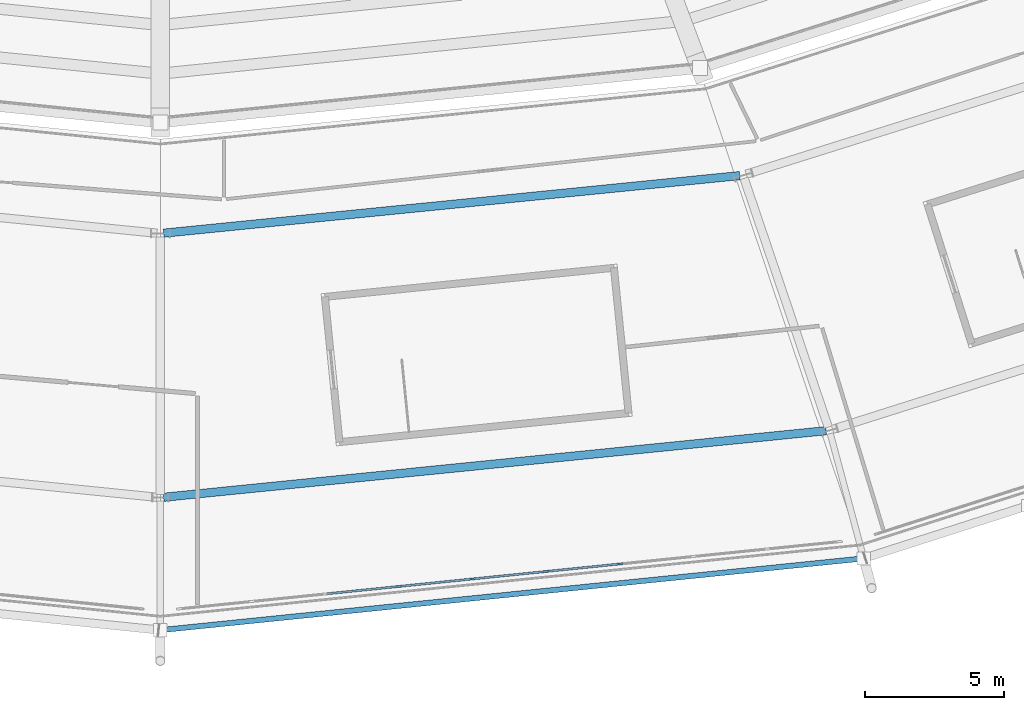
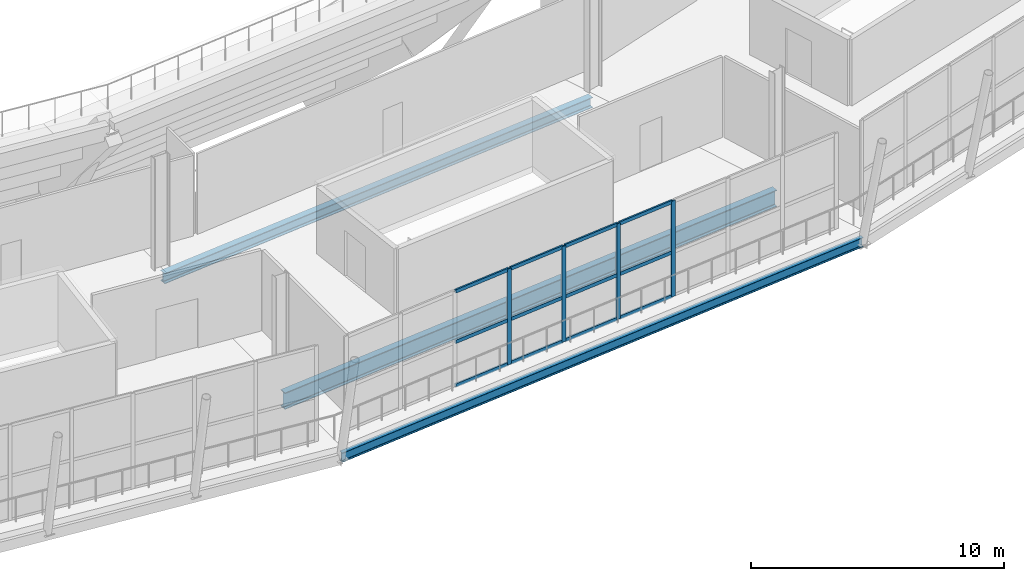
# One storey, part 23 of 126: 16 members, 3 beams, 1 element without a shape of its own.
"""IFC4 building model written with IfcOpenShell, lengths in metres."""

from ifc_helpers import new_model, si_unit, direction, frame, origin, origin_2d, place, context, subcontext, project, spatial, rectangle, i_section, extrude, material, material_profile, profile_set, type_object, element, aggregate, save


model = new_model("IFC4")

# Units and contexts
model_context = context("Model", 3, precision=1e-05, world=origin(), true_north=direction((0.0, 1.0)))
body_context = subcontext(model_context, "Body", "Model", "MODEL_VIEW")
ifc_project = project(units=[si_unit("LENGTHUNIT", "METRE"), si_unit("AREAUNIT", "SQUARE_METRE"), si_unit("VOLUMEUNIT", "CUBIC_METRE"), si_unit("PLANEANGLEUNIT", "RADIAN"), si_unit("MASSUNIT", "GRAM", prefix="KILO")], contexts=[model_context])

# Site, building, storey
site_placement = place(None, origin())
site = spatial("IfcSite", under=ifc_project, at=site_placement, CompositionType="ELEMENT")
building_placement = place(site_placement, origin())
building = spatial("IfcBuilding", under=site, at=building_placement, Name="Zlatoyarsky Gate Stadium", CompositionType="ELEMENT")
storey_placement = place(building_placement, frame((0.0, 0.0, 20.800048828125)))
storey = spatial("IfcBuildingStorey", under=building, at=storey_placement, Name="L04", CompositionType="ELEMENT", Elevation=20.800048828125)

# Curtain wall, members
ifc_material_1 = material(Name="Thermally broken anodised aluminium curtain wall", Category="aluminium")
curtain_wall_type = type_object("IfcCurtainWallType", Name="MONUMENTAL ARCHED GATE GLAZING LOWER", PredefinedType="USERDEFINED", material=ifc_material_1)
curtain_wall_placement = place(storey_placement, origin())
curtain_wall = element("IfcCurtainWall", 1, at=curtain_wall_placement, inside=storey, type_object=curtain_wall_type, Name="Curtain wall CW-L04-18", ObjectType="ARCHED GATE GLAZING", PredefinedType="USERDEFINED")
ifc_material_2 = material(Name="Anodised aluminium 6063-T6", Category="aluminium")
ifc_material_profile_1 = material_profile(ifc_material_2, rectangle(XDim=0.074951171875, YDim=0.18994140625, at=origin_2d()), Name="ALU 75X190")
ifc_profile_set_1 = profile_set([ifc_material_profile_1], Name="Anodised aluminium 6063-T6")
member_type_1 = type_object("IfcMemberType", Name="ALUMINIUM GATE MULLION 75X190", PredefinedType="MULLION", material=ifc_profile_set_1)
member_1_placement = place(storey_placement, frame((119.590087890625, 5.804931640625, 0.0), z_axis=(0.0, 0.0, 1.0), x_axis=(-0.10129293102, 0.994856644007, 0.0)))
member_1 = element("IfcMember", 2, at=member_1_placement, type_object=member_type_1, Name="CW-AG1 mullion 4", PredefinedType="MULLION", context=body_context, shape_type="SweptSolid", body=[
    extrude(rectangle(XDim=0.074951171875, YDim=0.18994140625, at=origin_2d()), origin(), (0.0, 0.0, 1.0), 4.619873046875),
])
member_2_placement = place(storey_placement, frame((122.23779296875, 6.074462890625, 0.0), z_axis=(0.0, 0.0, 1.0), x_axis=(-0.10129293102, 0.994856644007, 0.0)))
member_2 = element("IfcMember", 3, at=member_2_placement, type_object=member_type_1, Name="CW-AG1 mullion 5", PredefinedType="MULLION", context=body_context, shape_type="SweptSolid", body=[
    extrude(rectangle(XDim=0.074951171875, YDim=0.18994140625, at=origin_2d()), origin(), (0.0, 0.0, 1.0), 4.619873046875),
])
member_3_placement = place(storey_placement, frame((124.8857421875, 6.34423828125, 0.0), z_axis=(0.0, 0.0, 1.0), x_axis=(-0.10129293102, 0.994856644007, 0.0)))
member_3 = element("IfcMember", 4, at=member_3_placement, type_object=member_type_1, Name="CW-AG1 mullion 6", PredefinedType="MULLION", context=body_context, shape_type="SweptSolid", body=[
    extrude(rectangle(XDim=0.074951171875, YDim=0.18994140625, at=origin_2d()), origin(), (0.0, 0.0, 1.0), 4.619873046875),
])
member_4_placement = place(storey_placement, frame((127.533447265625, 6.61376953125, 0.0), z_axis=(0.0, 0.0, 1.0), x_axis=(-0.10129293102, 0.994856644007, 0.0)))
member_4 = element("IfcMember", 5, at=member_4_placement, type_object=member_type_1, Name="CW-AG1 mullion 7", PredefinedType="MULLION", context=body_context, shape_type="SweptSolid", body=[
    extrude(rectangle(XDim=0.074951171875, YDim=0.18994140625, at=origin_2d()), origin(), (0.0, 0.0, 1.0), 4.619873046875),
])
ifc_material_profile_2 = material_profile(ifc_material_2, rectangle(XDim=0.074951171875, YDim=0.169921875, at=origin_2d()), Name="ALU 75X170")
ifc_profile_set_2 = profile_set([ifc_material_profile_2], Name="Anodised aluminium 6063-T6")
member_type_2 = type_object("IfcMemberType", Name="ALUMINIUM GATE TRANSOM 75X170", PredefinedType="USERDEFINED", material=ifc_profile_set_2)
member_5_placement = place(storey_placement, frame((116.9794921875, 5.5390625, 0.037353515625), z_axis=(0.994848528046, 0.101372610922, 0.0), x_axis=(-0.101372610922, 0.994848528046, 0.0)))
member_5 = element("IfcMember", 6, at=member_5_placement, type_object=member_type_2, Name="CW-AG1 transom 3.1", ObjectType="TRANSOM", PredefinedType="USERDEFINED", context=body_context, shape_type="SweptSolid", body=[
    extrude(rectangle(XDim=0.074951171875, YDim=0.169921875, at=origin_2d()), origin(), (0.0, 0.0, 1.0), 2.586669921875),
])
member_6_placement = place(storey_placement, frame((116.9794921875, 5.5390625, 2.14990234375), z_axis=(0.994848528046, 0.101372610922, 0.0), x_axis=(-0.101372610922, 0.994848528046, 0.0)))
member_6 = element("IfcMember", 7, at=member_6_placement, type_object=member_type_2, Name="CW-AG1 transom 3.2", ObjectType="TRANSOM", PredefinedType="USERDEFINED", context=body_context, shape_type="SweptSolid", body=[
    extrude(rectangle(XDim=0.074951171875, YDim=0.169921875, at=origin_2d()), origin(), (0.0, 0.0, 1.0), 2.586669921875),
])
member_7_placement = place(storey_placement, frame((116.9794921875, 5.5390625, 4.58251953125), z_axis=(0.994848528046, 0.101372610922, 0.0), x_axis=(-0.101372610922, 0.994848528046, 0.0)))
member_7 = element("IfcMember", 8, at=member_7_placement, type_object=member_type_2, Name="CW-AG1 transom 3.3", ObjectType="TRANSOM", PredefinedType="USERDEFINED", context=body_context, shape_type="SweptSolid", body=[
    extrude(rectangle(XDim=0.074951171875, YDim=0.169921875, at=origin_2d()), origin(), (0.0, 0.0, 1.0), 2.586669921875),
])
member_8_placement = place(storey_placement, frame((119.62744140625, 5.808837890625, 0.037353515625), z_axis=(0.994857074481, 0.101288703, 0.0), x_axis=(-0.101288703, 0.994857074481, 0.0)))
member_8 = element("IfcMember", 9, at=member_8_placement, type_object=member_type_2, Name="CW-AG1 transom 4.1", ObjectType="TRANSOM", PredefinedType="USERDEFINED", context=body_context, shape_type="SweptSolid", body=[
    extrude(rectangle(XDim=0.074951171875, YDim=0.169921875, at=origin_2d()), origin(), (0.0, 0.0, 1.0), 2.586181640625),
])
member_9_placement = place(storey_placement, frame((119.62744140625, 5.808837890625, 2.14990234375), z_axis=(0.994857074481, 0.101288703, 0.0), x_axis=(-0.101288703, 0.994857074481, 0.0)))
member_9 = element("IfcMember", 10, at=member_9_placement, type_object=member_type_2, Name="CW-AG1 transom 4.2", ObjectType="TRANSOM", PredefinedType="USERDEFINED", context=body_context, shape_type="SweptSolid", body=[
    extrude(rectangle(XDim=0.074951171875, YDim=0.169921875, at=origin_2d()), origin(), (0.0, 0.0, 1.0), 2.586181640625),
])
member_10_placement = place(storey_placement, frame((119.62744140625, 5.808837890625, 4.58251953125), z_axis=(0.994857074481, 0.101288703, 0.0), x_axis=(-0.101288703, 0.994857074481, 0.0)))
member_10 = element("IfcMember", 11, at=member_10_placement, type_object=member_type_2, Name="CW-AG1 transom 4.3", ObjectType="TRANSOM", PredefinedType="USERDEFINED", context=body_context, shape_type="SweptSolid", body=[
    extrude(rectangle(XDim=0.074951171875, YDim=0.169921875, at=origin_2d()), origin(), (0.0, 0.0, 1.0), 2.586181640625),
])
member_11_placement = place(storey_placement, frame((122.275146484375, 6.078369140625, 0.037353515625), z_axis=(0.994858042808, 0.101279191644, 0.0), x_axis=(-0.101279191644, 0.994858042808, 0.0)))
member_11 = element("IfcMember", 12, at=member_11_placement, type_object=member_type_2, Name="CW-AG1 transom 5.1", ObjectType="TRANSOM", PredefinedType="USERDEFINED", context=body_context, shape_type="SweptSolid", body=[
    extrude(rectangle(XDim=0.074951171875, YDim=0.169921875, at=origin_2d()), origin(), (0.0, 0.0, 1.0), 2.58642578125),
])
member_12_placement = place(storey_placement, frame((122.275146484375, 6.078369140625, 2.14990234375), z_axis=(0.994858042808, 0.101279191644, 0.0), x_axis=(-0.101279191644, 0.994858042808, 0.0)))
member_12 = element("IfcMember", 13, at=member_12_placement, type_object=member_type_2, Name="CW-AG1 transom 5.2", ObjectType="TRANSOM", PredefinedType="USERDEFINED", context=body_context, shape_type="SweptSolid", body=[
    extrude(rectangle(XDim=0.074951171875, YDim=0.169921875, at=origin_2d()), origin(), (0.0, 0.0, 1.0), 2.58642578125),
])
member_13_placement = place(storey_placement, frame((122.275146484375, 6.078369140625, 4.58251953125), z_axis=(0.994858042808, 0.101279191644, 0.0), x_axis=(-0.101279191644, 0.994858042808, 0.0)))
member_13 = element("IfcMember", 14, at=member_13_placement, type_object=member_type_2, Name="CW-AG1 transom 5.3", ObjectType="TRANSOM", PredefinedType="USERDEFINED", context=body_context, shape_type="SweptSolid", body=[
    extrude(rectangle(XDim=0.074951171875, YDim=0.169921875, at=origin_2d()), origin(), (0.0, 0.0, 1.0), 2.58642578125),
])
member_14_placement = place(storey_placement, frame((124.9228515625, 6.347900390625, 0.037353515625), z_axis=(0.994858042808, 0.101279191644, 0.0), x_axis=(-0.101279191644, 0.994858042808, 0.0)))
member_14 = element("IfcMember", 15, at=member_14_placement, type_object=member_type_2, Name="CW-AG1 transom 6.1", ObjectType="TRANSOM", PredefinedType="USERDEFINED", context=body_context, shape_type="SweptSolid", body=[
    extrude(rectangle(XDim=0.074951171875, YDim=0.169921875, at=origin_2d()), origin(), (0.0, 0.0, 1.0), 2.58642578125),
])
member_15_placement = place(storey_placement, frame((124.9228515625, 6.347900390625, 2.14990234375), z_axis=(0.994858042808, 0.101279191644, 0.0), x_axis=(-0.101279191644, 0.994858042808, 0.0)))
member_15 = element("IfcMember", 16, at=member_15_placement, type_object=member_type_2, Name="CW-AG1 transom 6.2", ObjectType="TRANSOM", PredefinedType="USERDEFINED", context=body_context, shape_type="SweptSolid", body=[
    extrude(rectangle(XDim=0.074951171875, YDim=0.169921875, at=origin_2d()), origin(), (0.0, 0.0, 1.0), 2.58642578125),
])
member_16_placement = place(storey_placement, frame((124.9228515625, 6.347900390625, 4.58251953125), z_axis=(0.994858042808, 0.101279191644, 0.0), x_axis=(-0.101279191644, 0.994858042808, 0.0)))
member_16 = element("IfcMember", 17, at=member_16_placement, type_object=member_type_2, Name="CW-AG1 transom 6.3", ObjectType="TRANSOM", PredefinedType="USERDEFINED", context=body_context, shape_type="SweptSolid", body=[
    extrude(rectangle(XDim=0.074951171875, YDim=0.169921875, at=origin_2d()), origin(), (0.0, 0.0, 1.0), 2.58642578125),
])
aggregate(curtain_wall, [member_1, member_2, member_3, member_4, member_5, member_6, member_7, member_8, member_9, member_10, member_11, member_12, member_13, member_14, member_15, member_16])

# Beams
ifc_material_3 = material(Name="Steel S355", Category="steel")
ifc_material_profile_3 = material_profile(ifc_material_3, i_section(OverallWidth=0.18994140625, OverallDepth=0.449951171875, WebThickness=0.009521484375, FlangeThickness=0.0146484375, FilletRadius=0.02099609375, at=origin_2d()), Name="IPE 450")
ifc_profile_set_3 = profile_set([ifc_material_profile_3], Name="Steel S355")
beam_type_1 = type_object("IfcBeamType", Name="STEEL EDGE SPANDREL IPE 450", PredefinedType="SPANDREL", material=ifc_profile_set_3)
beam_1_placement = place(storey_placement, frame((111.02001953125, 4.232421875, -0.525146484375), z_axis=(0.994834717101, 0.10150805707, 0.0), x_axis=(-0.10150805707, 0.994834717101, 0.0)))
element("IfcBeam", 18, at=beam_1_placement, inside=storey, type_object=beam_type_1, Name="Beam SP-IPE450 BM-L04-SPD-18", PredefinedType="SPANDREL", context=body_context, shape_type="SweptSolid", body=[
    extrude(i_section(OverallWidth=0.18994140625, OverallDepth=0.449951171875, WebThickness=0.009521484375, FlangeThickness=0.0146484375, FilletRadius=0.02099609375, at=origin_2d()), origin(), (0.0, 0.0, 1.0), 25.395751953125),
])
ifc_material_profile_4 = material_profile(ifc_material_3, i_section(OverallWidth=0.300048828125, OverallDepth=0.5, WebThickness=0.014404296875, FlangeThickness=0.028076171875, FilletRadius=0.027099609375, at=origin_2d()), Name="HEB 500")
ifc_profile_set_4 = profile_set([ifc_material_profile_4], Name="Steel S355")
beam_type_2 = type_object("IfcBeamType", Name="STEEL PRIMARY GIRDER HEB 500", PredefinedType="BEAM", material=ifc_profile_set_4)
beam_2_placement = place(storey_placement, frame((111.119384765625, 18.511962890625, -0.550048828125), z_axis=(0.995040903182, 0.099466582298, 0.0), x_axis=(-0.099466582298, 0.995040903182, 0.0)))
element("IfcBeam", 19, at=beam_2_placement, inside=storey, type_object=beam_type_2, Name="Beam G-HEB500 BM-L04-CRB-18", PredefinedType="BEAM", context=body_context, shape_type="SweptSolid", body=[
    extrude(i_section(OverallWidth=0.300048828125, OverallDepth=0.5, WebThickness=0.014404296875, FlangeThickness=0.028076171875, FilletRadius=0.027099609375, at=origin_2d()), origin(), (0.0, 0.0, 1.0), 20.828857421875),
])
ifc_material_profile_5 = material_profile(ifc_material_3, i_section(OverallWidth=0.300048828125, OverallDepth=0.800048828125, WebThickness=0.017578125, FlangeThickness=0.032958984375, FilletRadius=0.030029296875, at=origin_2d()), Name="HEB 800")
ifc_profile_set_5 = profile_set([ifc_material_profile_5], Name="Steel S355")
beam_type_3 = type_object("IfcBeamType", Name="STEEL PRIMARY GIRDER HEB 800", PredefinedType="BEAM", material=ifc_profile_set_5)
beam_3_placement = place(storey_placement, frame((111.119384765625, 9.011962890625, -0.699951171875), z_axis=(0.994986905268, 0.100005291586, 0.0), x_axis=(-0.100005291586, 0.994986905268, 0.0)))
element("IfcBeam", 20, at=beam_3_placement, inside=storey, type_object=beam_type_3, Name="Beam G-HEB800 BM-L04-CRC-18", PredefinedType="BEAM", context=body_context, shape_type="SweptSolid", body=[
    extrude(i_section(OverallWidth=0.300048828125, OverallDepth=0.800048828125, WebThickness=0.017578125, FlangeThickness=0.032958984375, FilletRadius=0.030029296875, at=origin_2d()), origin(), (0.0, 0.0, 1.0), 23.951416015625),
])

save(model, "model.ifc")
